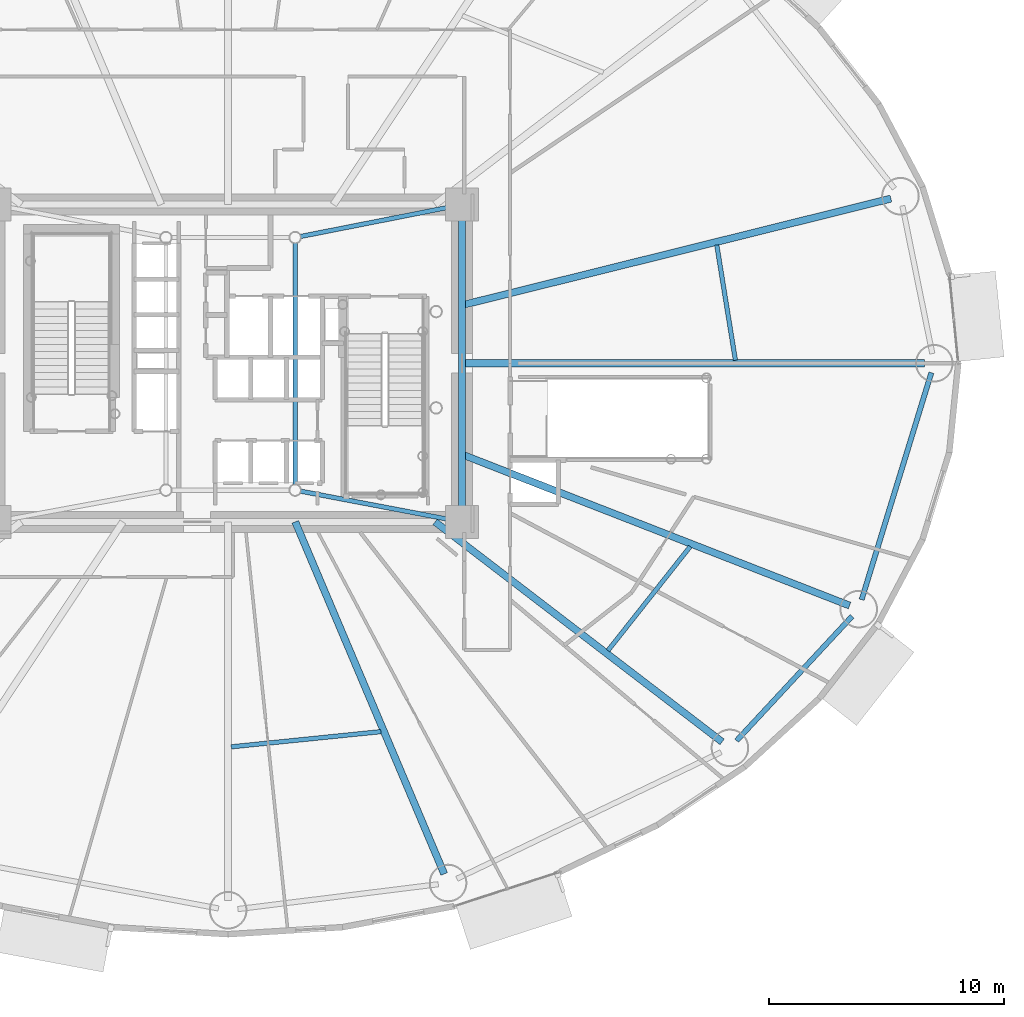
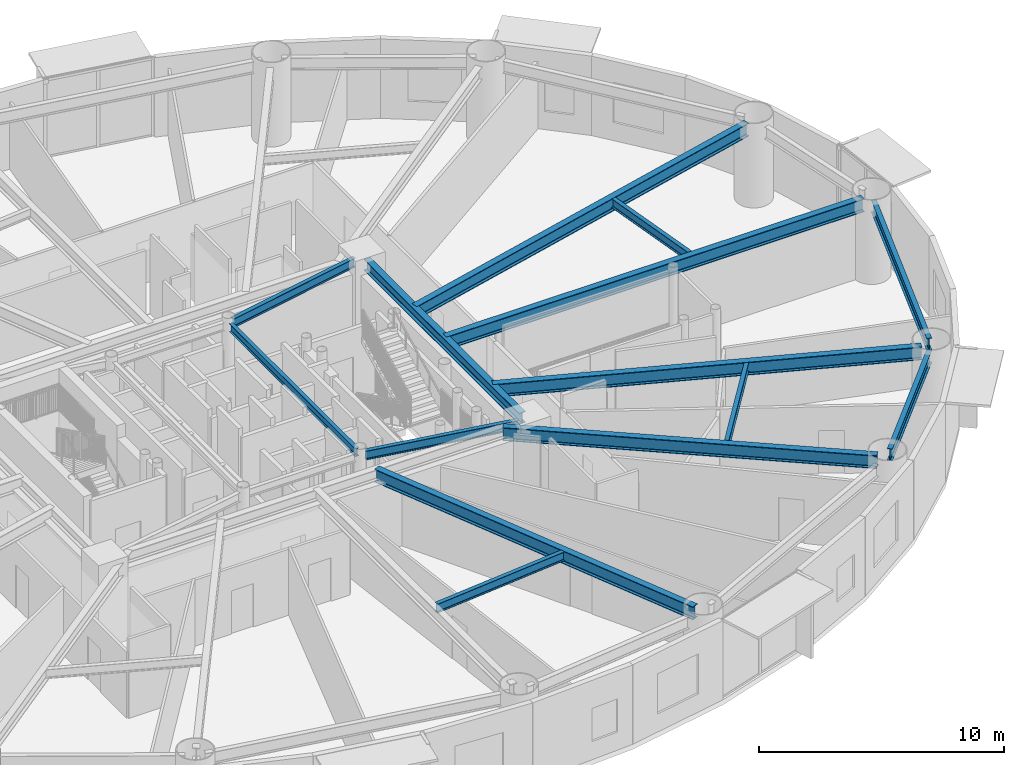
# One storey, part 8 of 28: 14 beams.
"""IFC4 building model written with IfcOpenShell, lengths in metres."""

from ifc_helpers import new_model, si_unit, direction, frame, origin, origin_2d, place, context, subcontext, project, spatial, i_section, extrude, material, material_profile, profile_set, type_object, element, save


model = new_model("IFC4")

# Units and contexts
model_context = context("Model", 3, precision=1e-05, world=origin(), true_north=direction((0.0, 1.0)))
body_context = subcontext(model_context, "Body", "Model", "MODEL_VIEW")
ifc_project = project(units=[si_unit("LENGTHUNIT", "METRE"), si_unit("AREAUNIT", "SQUARE_METRE"), si_unit("VOLUMEUNIT", "CUBIC_METRE"), si_unit("PLANEANGLEUNIT", "RADIAN"), si_unit("MASSUNIT", "GRAM", prefix="KILO")], contexts=[model_context])

# Site, building, storey
site_placement = place(None, origin())
site = spatial("IfcSite", under=ifc_project, at=site_placement, CompositionType="ELEMENT")
building_placement = place(site_placement, origin())
building = spatial("IfcBuilding", under=site, at=building_placement, Name="Linh Dai School and Residence Tower", CompositionType="ELEMENT")
storey_placement = place(building_placement, frame((0.0, 0.0, 57.60009765625)))
storey = spatial("IfcBuildingStorey", under=building, at=storey_placement, Name="L13", CompositionType="ELEMENT", Elevation=57.60009765625)

# Beams
ifc_material = material(Name="Structural Steel S355JR", Category="steel")
ifc_material_profile_1 = material_profile(ifc_material, i_section(OverallWidth=0.219970703125, OverallDepth=0.60009765625, WebThickness=0.011962890625, FlangeThickness=0.01904296875, FilletRadius=0.02392578125, at=origin_2d()), Name="IPE 600")
ifc_profile_set_1 = profile_set([ifc_material_profile_1], Name="Structural Steel S355JR")
beam_type_1 = type_object("IfcBeamType", Name="BM-RB60", PredefinedType="BEAM", material=ifc_profile_set_1)
beam_1_placement = place(storey_placement, frame((57.638427734375, 10.938720703125, 3.64990234375), z_axis=(0.680408287194, 0.732833243458, 0.0), x_axis=(-0.732833243458, 0.680408287194, 0.0)))
element("IfcBeam", 1, at=beam_1_placement, inside=storey, type_object=beam_type_1, Name="L13 Perimeter Elliptical Ring Beam 15", PredefinedType="BEAM", context=body_context, shape_type="SweptSolid", body=[
    extrude(i_section(OverallWidth=0.219970703125, OverallDepth=0.60009765625, WebThickness=0.011962890625, FlangeThickness=0.01904296875, FilletRadius=0.02392578125, at=origin_2d()), origin(), (0.0, 0.0, 1.0), 7.21826171875),
])
beam_2_placement = place(storey_placement, frame((62.958740234375, 16.937744140625, 3.64990234375), z_axis=(0.293673329015, 0.95590584046, 0.0), x_axis=(-0.95590584046, 0.293673329015, 0.0)))
element("IfcBeam", 2, at=beam_2_placement, inside=storey, type_object=beam_type_1, Name="L13 Perimeter Elliptical Ring Beam 16", PredefinedType="BEAM", context=body_context, shape_type="SweptSolid", body=[
    extrude(i_section(OverallWidth=0.219970703125, OverallDepth=0.60009765625, WebThickness=0.011962890625, FlangeThickness=0.01904296875, FilletRadius=0.02392578125, at=origin_2d()), origin(), (0.0, 0.0, 1.0), 10.1064453125),
])
ifc_material_profile_2 = material_profile(ifc_material, i_section(OverallWidth=0.300048828125, OverallDepth=0.550048828125, WebThickness=0.014892578125, FlangeThickness=0.029052734375, FilletRadius=0.027099609375, at=origin_2d()), Name="HEB 550")
ifc_profile_set_2 = profile_set([ifc_material_profile_2], Name="Structural Steel S355JR")
beam_type_2 = type_object("IfcBeamType", Name="BM-RG55", PredefinedType="BEAM", material=ifc_profile_set_2)
beam_3_placement = place(storey_placement, frame((45.949951171875, 20.669921875, 3.6748046875), z_axis=(0.0, 1.0, 0.0), x_axis=(-1.0, 0.0, 0.0)))
element("IfcBeam", 3, at=beam_3_placement, inside=storey, type_object=beam_type_2, Name="L13 Core Perimeter Coupling Girder 2", PredefinedType="BEAM", context=body_context, shape_type="SweptSolid", body=[
    extrude(i_section(OverallWidth=0.300048828125, OverallDepth=0.550048828125, WebThickness=0.014892578125, FlangeThickness=0.029052734375, FilletRadius=0.027099609375, at=origin_2d()), origin(), (0.0, 0.0, 1.0), 12.66015625),
])
ifc_material_profile_3 = material_profile(ifc_material, i_section(OverallWidth=0.300048828125, OverallDepth=0.64990234375, WebThickness=0.01611328125, FlangeThickness=0.031005859375, FilletRadius=0.027099609375, at=origin_2d()), Name="HEB 650")
ifc_profile_set_3 = profile_set([ifc_material_profile_3], Name="Structural Steel S355JR")
beam_type_3 = type_object("IfcBeamType", Name="BM-RG65", PredefinedType="BEAM", material=ifc_profile_set_3)
beam_4_placement = place(storey_placement, frame((45.949951171875, 27.0, 3.625), z_axis=(1.0, 0.0, 0.0), x_axis=(0.0, 1.0, 0.0)))
element("IfcBeam", 4, at=beam_4_placement, inside=storey, type_object=beam_type_3, Name="L13 Primary Radial Floor Girder 01", PredefinedType="BEAM", context=body_context, shape_type="SweptSolid", body=[
    extrude(i_section(OverallWidth=0.300048828125, OverallDepth=0.64990234375, WebThickness=0.01611328125, FlangeThickness=0.031005859375, FilletRadius=0.027099609375, at=origin_2d()), origin(), (0.0, 0.0, 1.0), 19.679931640625),
])
beam_5_placement = place(storey_placement, frame((45.949951171875, 29.47216796875, 3.625), z_axis=(0.970493481328, 0.241127357843, 0.0), x_axis=(-0.241127357843, 0.970493481328, 0.0)))
element("IfcBeam", 5, at=beam_5_placement, inside=storey, type_object=beam_type_3, Name="L13 Primary Radial Floor Girder 02", PredefinedType="BEAM", context=body_context, shape_type="SweptSolid", body=[
    extrude(i_section(OverallWidth=0.300048828125, OverallDepth=0.64990234375, WebThickness=0.01611328125, FlangeThickness=0.031005859375, FilletRadius=0.027099609375, at=origin_2d()), origin(), (0.0, 0.0, 1.0), 18.80810546875),
])
beam_6_placement = place(storey_placement, frame((38.85546875, 20.25, 3.625), z_axis=(0.38962432485, -0.920973878829, 0.0), x_axis=(0.920973878829, 0.38962432485, 0.0)))
element("IfcBeam", 6, at=beam_6_placement, inside=storey, type_object=beam_type_3, Name="L13 Primary Radial Floor Girder 14", PredefinedType="BEAM", context=body_context, shape_type="SweptSolid", body=[
    extrude(i_section(OverallWidth=0.300048828125, OverallDepth=0.64990234375, WebThickness=0.01611328125, FlangeThickness=0.031005859375, FilletRadius=0.027099609375, at=origin_2d()), origin(), (0.0, 0.0, 1.0), 16.2685546875),
])
beam_7_placement = place(storey_placement, frame((44.804931640625, 20.25, 3.625), z_axis=(0.793637764155, -0.608390581212, 0.0), x_axis=(0.608390581212, 0.793637764155, 0.0)))
element("IfcBeam", 7, at=beam_7_placement, inside=storey, type_object=beam_type_3, Name="L13 Primary Radial Floor Girder 15", PredefinedType="BEAM", context=body_context, shape_type="SweptSolid", body=[
    extrude(i_section(OverallWidth=0.300048828125, OverallDepth=0.64990234375, WebThickness=0.01611328125, FlangeThickness=0.031005859375, FilletRadius=0.027099609375, at=origin_2d()), origin(), (0.0, 0.0, 1.0), 15.390625),
])
beam_8_placement = place(storey_placement, frame((45.949951171875, 23.120361328125, 3.625), z_axis=(0.93167509369, -0.363292609061, 0.0), x_axis=(0.363292609061, 0.93167509369, 0.0)))
element("IfcBeam", 8, at=beam_8_placement, inside=storey, type_object=beam_type_3, Name="L13 Primary Radial Floor Girder 16", PredefinedType="BEAM", context=body_context, shape_type="SweptSolid", body=[
    extrude(i_section(OverallWidth=0.300048828125, OverallDepth=0.64990234375, WebThickness=0.01611328125, FlangeThickness=0.031005859375, FilletRadius=0.027099609375, at=origin_2d()), origin(), (0.0, 0.0, 1.0), 17.703857421875),
])
ifc_material_profile_4 = material_profile(ifc_material, i_section(OverallWidth=0.179931640625, OverallDepth=0.39990234375, WebThickness=0.008544921875, FlangeThickness=0.013427734375, FilletRadius=0.02099609375, at=origin_2d()), Name="IPE 400")
ifc_profile_set_4 = profile_set([ifc_material_profile_4], Name="Structural Steel S355JR")
beam_type_4 = type_object("IfcBeamType", Name="BM-SB40", PredefinedType="BEAM", material=ifc_profile_set_4)
beam_9_placement = place(storey_placement, frame((38.85009765625, 21.823974609375, 3.75), z_axis=(0.0, 1.0, 0.0), x_axis=(-1.0, 0.0, 0.0)))
element("IfcBeam", 9, at=beam_9_placement, inside=storey, type_object=beam_type_4, Name="L13 Core Mast Pier Tie Beam 2", PredefinedType="BEAM", context=body_context, shape_type="SweptSolid", body=[
    extrude(i_section(OverallWidth=0.179931640625, OverallDepth=0.39990234375, WebThickness=0.008544921875, FlangeThickness=0.013427734375, FilletRadius=0.02099609375, at=origin_2d()), origin(), (0.0, 0.0, 1.0), 10.302001953125),
])
ifc_material_profile_5 = material_profile(ifc_material, i_section(OverallWidth=0.18994140625, OverallDepth=0.449951171875, WebThickness=0.009521484375, FlangeThickness=0.0146484375, FilletRadius=0.02099609375, at=origin_2d()), Name="IPE 450")
ifc_profile_set_5 = profile_set([ifc_material_profile_5], Name="Structural Steel S355JR")
beam_type_5 = type_object("IfcBeamType", Name="BM-SB45", PredefinedType="BEAM", material=ifc_profile_set_5)
beam_10_placement = place(storey_placement, frame((45.537353515625, 20.328369140625, 3.724853515625), z_axis=(-0.982397918823, 0.186800238471, 0.0), x_axis=(-0.186800238471, -0.982397918823, 0.0)))
element("IfcBeam", 10, at=beam_10_placement, inside=storey, type_object=beam_type_5, Name="L13 Core Corner-to-Mast Pier Beam 2", PredefinedType="BEAM", context=body_context, shape_type="SweptSolid", body=[
    extrude(i_section(OverallWidth=0.18994140625, OverallDepth=0.449951171875, WebThickness=0.009521484375, FlangeThickness=0.0146484375, FilletRadius=0.02099609375, at=origin_2d()), origin(), (0.0, 0.0, 1.0), 6.583251953125),
])
beam_11_placement = place(storey_placement, frame((45.537841796875, 33.668701171875, 3.724853515625), z_axis=(-0.981108354988, -0.193459028666, 0.0), x_axis=(0.193459028666, -0.981108354988, 0.0)))
element("IfcBeam", 11, at=beam_11_placement, inside=storey, type_object=beam_type_5, Name="L13 Core Corner-to-Mast Pier Beam 3", PredefinedType="BEAM", context=body_context, shape_type="SweptSolid", body=[
    extrude(i_section(OverallWidth=0.18994140625, OverallDepth=0.449951171875, WebThickness=0.009521484375, FlangeThickness=0.0146484375, FilletRadius=0.02099609375, at=origin_2d()), origin(), (0.0, 0.0, 1.0), 6.592529296875),
])
beam_12_placement = place(storey_placement, frame((57.587158203125, 27.12841796875, 3.724853515625), z_axis=(-0.159655745546, 0.987172752316, 0.0), x_axis=(-0.987172752316, -0.159655745546, 0.0)))
element("IfcBeam", 12, at=beam_12_placement, inside=storey, type_object=beam_type_5, Name="L13 Secondary Circumferential Floor Beam 01", PredefinedType="BEAM", context=body_context, shape_type="SweptSolid", body=[
    extrude(i_section(OverallWidth=0.18994140625, OverallDepth=0.449951171875, WebThickness=0.009521484375, FlangeThickness=0.0146484375, FilletRadius=0.02099609375, at=origin_2d()), origin(), (0.0, 0.0, 1.0), 4.96826171875),
])
beam_13_placement = place(storey_placement, frame((36.12939453125, 10.67578125, 3.724853515625), z_axis=(0.994886521003, 0.100999061019, 0.0), x_axis=(-0.100999061019, 0.994886521003, 0.0)))
element("IfcBeam", 13, at=beam_13_placement, inside=storey, type_object=beam_type_5, Name="L13 Secondary Circumferential Floor Beam 07", PredefinedType="BEAM", context=body_context, shape_type="SweptSolid", body=[
    extrude(i_section(OverallWidth=0.18994140625, OverallDepth=0.449951171875, WebThickness=0.009521484375, FlangeThickness=0.0146484375, FilletRadius=0.02099609375, at=origin_2d()), origin(), (0.0, 0.0, 1.0), 6.40087890625),
])
beam_14_placement = place(storey_placement, frame((52.163330078125, 14.77294921875, 3.724853515625), z_axis=(0.620205247605, 0.78443957756, 0.0), x_axis=(-0.78443957756, 0.620205247605, 0.0)))
element("IfcBeam", 14, at=beam_14_placement, inside=storey, type_object=beam_type_5, Name="L13 Secondary Circumferential Floor Beam 08", PredefinedType="BEAM", context=body_context, shape_type="SweptSolid", body=[
    extrude(i_section(OverallWidth=0.18994140625, OverallDepth=0.449951171875, WebThickness=0.009521484375, FlangeThickness=0.0146484375, FilletRadius=0.02099609375, at=origin_2d()), origin(), (0.0, 0.0, 1.0), 5.642822265625),
])

save(model, "model.ifc")
